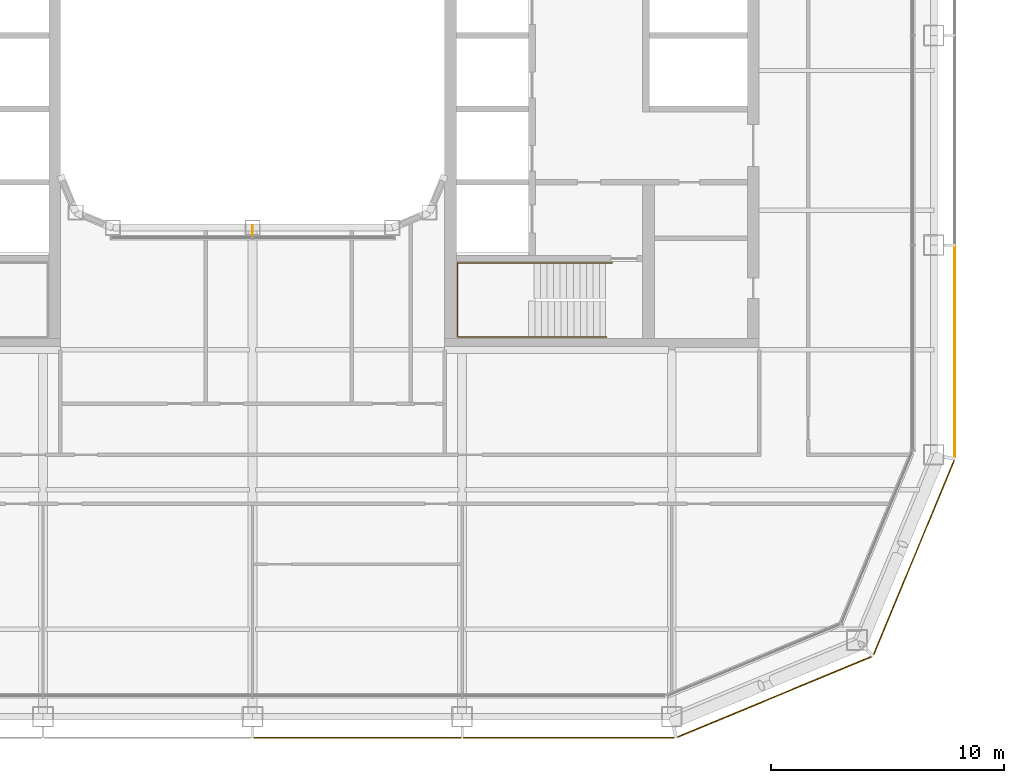
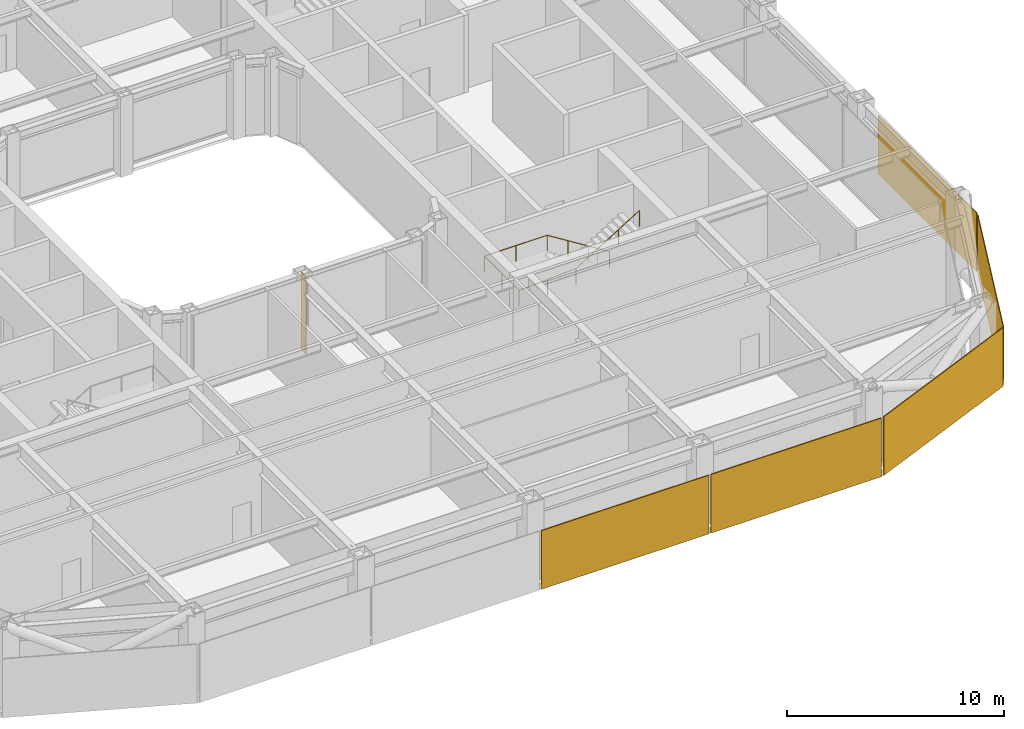
# One storey, part 19 of 23: 5 coverings, 1 railing, 1 shading device.
"""IFC4 building model written with IfcOpenShell, lengths in metres."""

from ifc_helpers import new_model, si_unit, direction, frame, origin, origin_2d, place, context, subcontext, project, spatial, rectangle, circle, extrude, material, layer, layer_set, type_object, element, save


model = new_model("IFC4")

# Units and contexts
model_context = context("Model", 3, precision=1e-05, world=origin(), true_north=direction((0.0, 1.0)))
body_context = subcontext(model_context, "Body", "Model", "MODEL_VIEW")
ifc_project = project(units=[si_unit("LENGTHUNIT", "METRE"), si_unit("AREAUNIT", "SQUARE_METRE"), si_unit("VOLUMEUNIT", "CUBIC_METRE"), si_unit("PLANEANGLEUNIT", "RADIAN"), si_unit("MASSUNIT", "GRAM", prefix="KILO")], contexts=[model_context])

# Site, building, storey
site_placement = place(None, origin())
site = spatial("IfcSite", under=ifc_project, at=site_placement, CompositionType="ELEMENT")
building_placement = place(site_placement, origin())
building = spatial("IfcBuilding", under=site, at=building_placement, Name="Siwar Civic Tower", CompositionType="ELEMENT")
storey_placement = place(building_placement, frame((0.0, 0.0, 167.699951171875)))
storey = spatial("IfcBuildingStorey", under=building, at=storey_placement, Name="L36", CompositionType="ELEMENT", Elevation=167.699951171875)

# Railing
ifc_material_1 = material(Name="Stainless steel", Category="steel")
railing_type = type_object("IfcRailingType", Name="CORE-STAIR-HANDRAIL", PredefinedType="HANDRAIL", material=ifc_material_1)
railing_placement = place(storey_placement, frame((15.449951171875, -9.758056640625, 0.173095703125)))
element("IfcRailing", 1, at=railing_placement, inside=storey, type_object=railing_type, Name="Stair handrail ST4", PredefinedType="HANDRAIL", context=body_context, shape_type="SweptSolid", body=[
    extrude(circle(Radius=0.02001953125, at=origin_2d()), frame((0.0, 0.0, 0.8798828125), z_axis=(-0.847063342986, 0.0, 0.531491950051), x_axis=(0.0, -1.0, 0.0)), (0.0, 0.0, 1.0), 3.90771484375),
    extrude(circle(Radius=0.02001953125, at=origin_2d()), frame((-3.31005859375, 0.0, 2.956787109375), z_axis=(-1.0, 0.0, 0.0), x_axis=(0.0, -1.0, 0.0)), (0.0, 0.0, 1.0), 3.331787109375),
    extrude(circle(Radius=0.02001953125, at=origin_2d()), frame((-6.641845703125, 0.0, 2.956787109375), z_axis=(0.0, -1.0, 0.0), x_axis=(1.0, 0.0, 0.0)), (0.0, 0.0, 1.0), 3.183837890625),
    extrude(circle(Radius=0.02001953125, at=origin_2d()), frame((-6.641845703125, -3.183837890625, 2.956787109375), z_axis=(0.99837434197, 0.0, 0.056997134106), x_axis=(0.0, 1.0, 0.0)), (0.0, 0.0, 1.0), 3.036865234375),
    extrude(circle(Radius=0.02001953125, at=origin_2d()), frame((-3.60986328125, -3.183837890625, 3.1298828125), z_axis=(0.850606129759, 0.0, 0.525803396734), x_axis=(0.0, 1.0, 0.0)), (0.0, 0.0, 1.0), 3.949951171875),
    extrude(circle(Radius=0.02001953125, at=origin_2d()), origin(), (0.0, 0.0, 1.0), 0.85986328125),
    extrude(circle(Radius=0.02001953125, at=origin_2d()), frame((-1.103271484375, 0.0, 0.6923828125)), (0.0, 0.0, 1.0), 0.85986328125),
    extrude(circle(Radius=0.02001953125, at=origin_2d()), frame((-2.206787109375, 0.0, 1.384521484375)), (0.0, 0.0, 1.0), 0.85986328125),
    extrude(circle(Radius=0.02001953125, at=origin_2d()), frame((-3.31005859375, 0.0, 2.076904296875)), (0.0, 0.0, 1.0), 0.85986328125),
    extrude(circle(Radius=0.02001953125, at=origin_2d()), frame((-4.97607421875, 0.0, 2.076904296875)), (0.0, 0.0, 1.0), 0.85986328125),
    extrude(circle(Radius=0.02001953125, at=origin_2d()), frame((-6.641845703125, 0.0, 2.076904296875)), (0.0, 0.0, 1.0), 0.85986328125),
    extrude(circle(Radius=0.02001953125, at=origin_2d()), frame((-6.641845703125, -1.591796875, 2.076904296875)), (0.0, 0.0, 1.0), 0.85986328125),
    extrude(circle(Radius=0.02001953125, at=origin_2d()), frame((-6.641845703125, -3.183837890625, 2.076904296875)), (0.0, 0.0, 1.0), 0.85986328125),
    extrude(circle(Radius=0.02001953125, at=origin_2d()), frame((-5.1259765625, -3.183837890625, 2.16357421875)), (0.0, 0.0, 1.0), 0.85986328125),
    extrude(circle(Radius=0.02001953125, at=origin_2d()), frame((-3.60986328125, -3.183837890625, 2.25)), (0.0, 0.0, 1.0), 0.85986328125),
    extrude(circle(Radius=0.02001953125, at=origin_2d()), frame((-2.489990234375, -3.183837890625, 2.9423828125)), (0.0, 0.0, 1.0), 0.85986328125),
    extrude(circle(Radius=0.02001953125, at=origin_2d()), frame((-1.369873046875, -3.183837890625, 3.634521484375)), (0.0, 0.0, 1.0), 0.85986328125),
    extrude(circle(Radius=0.02001953125, at=origin_2d()), frame((-0.25, -3.183837890625, 4.326904296875)), (0.0, 0.0, 1.0), 0.85986328125),
])

# Shading device
ifc_material_2 = material(Name="Aluminium 6063-T6", Category="aluminium")
ifc_layer_1 = layer(ifc_material_2, 0.02001953125)
ifc_layer_set_1 = layer_set([ifc_layer_1], Name="Aluminium 6063-T6")
shading_device_type = type_object("IfcShadingDeviceType", Name="ENV-FIN", PredefinedType="JALOUSIE", material=ifc_layer_set_1)
shading_device_placement = place(storey_placement, frame((0.0, -8.3701171875, 0.0), z_axis=(0.0, 0.0, 1.0), x_axis=(1.0, 0.0, 0.0)))
element("IfcShadingDevice", 2, at=shading_device_placement, inside=storey, type_object=shading_device_type, Name="SUNSHADE fin WS 1", PredefinedType="JALOUSIE", context=body_context, shape_type="SweptSolid", body=[
    extrude(rectangle(XDim=0.02001953125, YDim=0.449951171875, at=origin_2d()), origin(), (0.0, 0.0, 1.0), 4.35009765625),
])

# Coverings
ifc_material_3 = material(Name="Perforated aluminium cassette, pale metal", Category="aluminium")
ifc_layer_2 = layer(ifc_material_3, 0.0400390625)
ifc_layer_set_2 = layer_set([ifc_layer_2], Name="Perforated aluminium cassette, pale metal")
covering_type_1 = type_object("IfcCoveringType", Name="ENV-OUTER SKIN OS-1", PredefinedType="CLADDING", material=ifc_layer_set_2)
covering_1_placement = place(storey_placement, frame((30.14990234375, -13.57958984375, -0.14990234375), z_axis=(0.0, 0.0, 1.0), x_axis=(0.0, 1.0, 0.0)))
element("IfcCovering", 3, at=covering_1_placement, inside=storey, type_object=covering_type_1, Name="OUTER SKIN OS-1 E 1", PredefinedType="CLADDING", context=body_context, shape_type="SweptSolid", body=[
    extrude(rectangle(XDim=9.05908203125, YDim=0.0400390625, at=origin_2d()), origin(), (0.0, 0.0, 1.0), 3.300048828125),
])
ifc_material_4 = material(Name="Perforated aluminium cassette, pale metal", Category="aluminium")
ifc_layer_3 = layer(ifc_material_4, 0.044921875)
ifc_layer_set_3 = layer_set([ifc_layer_3], Name="Perforated aluminium cassette, pale metal")
covering_type_2 = type_object("IfcCoveringType", Name="ENV-OUTER SKIN OS-2", PredefinedType="CLADDING", material=ifc_layer_set_3)
covering_2_placement = place(storey_placement, frame((28.39697265625, -22.411376953125, -0.14990234375), z_axis=(0.0, 0.0, 1.0), x_axis=(0.382683432365, 0.923879532511, 0.0)))
element("IfcCovering", 4, at=covering_2_placement, inside=storey, type_object=covering_type_2, Name="OUTER SKIN OS-2 SE2 1", PredefinedType="CLADDING", context=body_context, shape_type="SweptSolid", body=[
    extrude(rectangle(XDim=9.022216796875, YDim=0.044921875, at=origin_2d()), origin(), (0.0, 0.0, 1.0), 3.300048828125),
])
ifc_material_5 = material(Name="Perforated aluminium cassette, pale metal", Category="aluminium")
ifc_layer_4 = layer(ifc_material_5, 0.050048828125)
ifc_layer_set_4 = layer_set([ifc_layer_4], Name="Perforated aluminium cassette, pale metal")
covering_type_3 = type_object("IfcCoveringType", Name="ENV-OUTER SKIN OS-3", PredefinedType="CLADDING", material=ifc_layer_set_4)
covering_3_placement = place(storey_placement, frame((22.411376953125, -28.39697265625, -0.14990234375), z_axis=(0.0, 0.0, 1.0), x_axis=(0.923879532511, 0.382683432365, 0.0)))
element("IfcCovering", 5, at=covering_3_placement, inside=storey, type_object=covering_type_3, Name="OUTER SKIN OS-3 SE1 1", PredefinedType="CLADDING", context=body_context, shape_type="SweptSolid", body=[
    extrude(rectangle(XDim=9.022216796875, YDim=0.050048828125, at=origin_2d()), origin(), (0.0, 0.0, 1.0), 3.300048828125),
])
ifc_material_6 = material(Name="Perforated aluminium cassette, pale metal", Category="aluminium")
ifc_layer_5 = layer(ifc_material_6, 0.054931640625)
ifc_layer_set_5 = layer_set([ifc_layer_5], Name="Perforated aluminium cassette, pale metal")
covering_type_4 = type_object("IfcCoveringType", Name="ENV-OUTER SKIN OS-4", PredefinedType="CLADDING", material=ifc_layer_set_5)
covering_4_placement = place(storey_placement, frame((4.5, -30.14990234375, -0.14990234375), z_axis=(0.0, 0.0, 1.0), x_axis=(1.0, 0.0, 0.0)))
element("IfcCovering", 6, at=covering_4_placement, inside=storey, type_object=covering_type_4, Name="OUTER SKIN OS-4 S 3", PredefinedType="CLADDING", context=body_context, shape_type="SweptSolid", body=[
    extrude(rectangle(XDim=8.89990234375, YDim=0.054931640625, at=origin_2d()), origin(), (0.0, 0.0, 1.0), 3.300048828125),
])
covering_5_placement = place(storey_placement, frame((13.57958984375, -30.14990234375, -0.14990234375), z_axis=(0.0, 0.0, 1.0), x_axis=(1.0, 0.0, 0.0)))
element("IfcCovering", 7, at=covering_5_placement, inside=storey, type_object=covering_type_4, Name="OUTER SKIN OS-4 S 4", PredefinedType="CLADDING", context=body_context, shape_type="SweptSolid", body=[
    extrude(rectangle(XDim=9.05908203125, YDim=0.054931640625, at=origin_2d()), origin(), (0.0, 0.0, 1.0), 3.300048828125),
])

save(model, "model.ifc")
